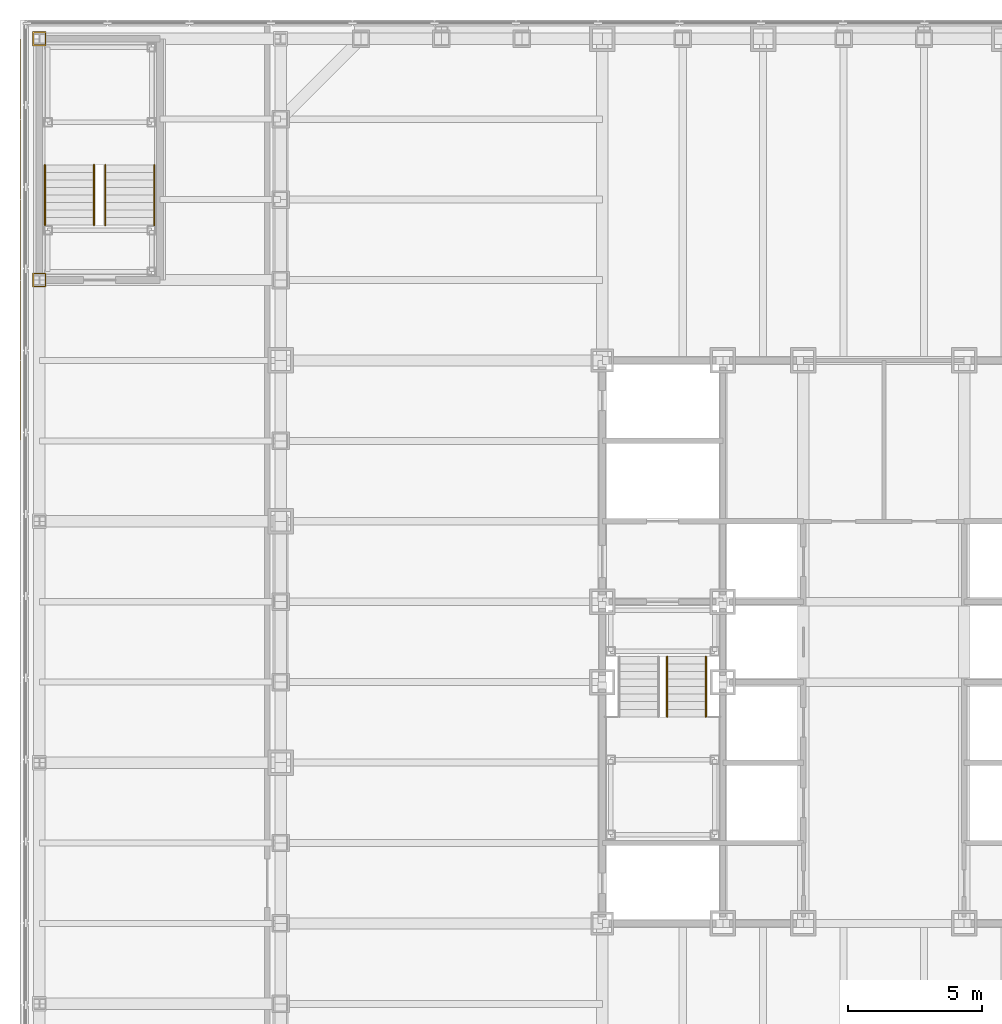
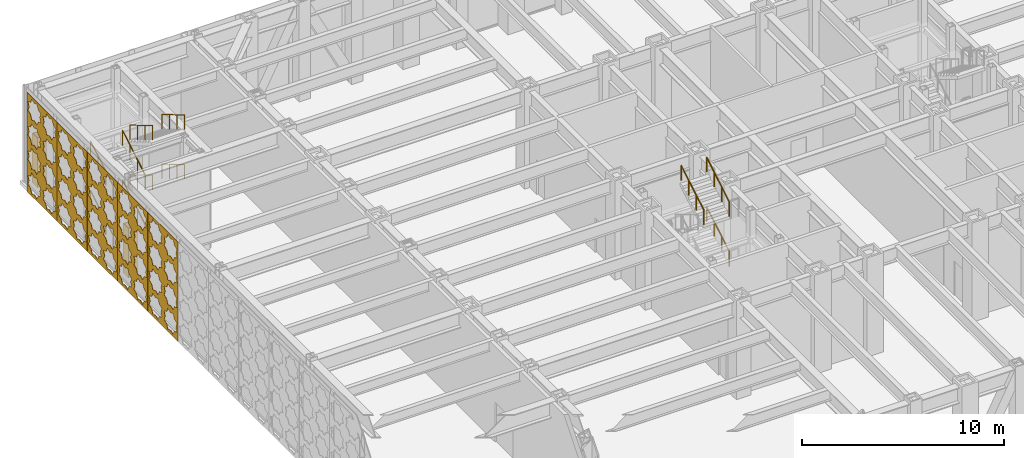
# One storey, part 27 of 32: 11 railings, 5 shading devices, 2 coverings.
"""IFC4 building model written with IfcOpenShell, lengths in metres."""

from ifc_helpers import new_model, si_unit, direction, frame, origin, origin_2d, place, context, subcontext, project, spatial, polyline, circle, outline, extrude, material, layer, layer_set, type_object, element, save


model = new_model("IFC4")

# Units and contexts
model_context = context("Model", 3, precision=1e-05, world=origin(), true_north=direction((0.0, 1.0)))
body_context = subcontext(model_context, "Body", "Model", "MODEL_VIEW")
ifc_project = project(units=[si_unit("LENGTHUNIT", "METRE"), si_unit("AREAUNIT", "SQUARE_METRE"), si_unit("VOLUMEUNIT", "CUBIC_METRE"), si_unit("PLANEANGLEUNIT", "RADIAN"), si_unit("MASSUNIT", "GRAM", prefix="KILO")], contexts=[model_context])

# Site, building, storey
site_placement = place(None, origin())
site = spatial("IfcSite", under=ifc_project, at=site_placement, CompositionType="ELEMENT")
building_placement = place(site_placement, origin())
building = spatial("IfcBuilding", under=site, at=building_placement, Name="Chuquiago Exchange Tower", CompositionType="ELEMENT")
storey_placement = place(building_placement, frame((0.0, 0.0, 13.5)))
storey = spatial("IfcBuildingStorey", under=building, at=storey_placement, Name="L02", CompositionType="ELEMENT", Elevation=13.5)

# Coverings
ifc_material_1 = material(Name="Pale metal sheet casing on rails", Category="aluminium")
ifc_layer_1 = layer(ifc_material_1, 0.050048828125)
ifc_layer_set_1 = layer_set([ifc_layer_1], Name="CS1 column casing 50")
covering_type = type_object("IfcCoveringType", Name="CS1 column casing 50", PredefinedType="CLADDING", material=ifc_layer_set_1)
covering_1_placement = place(storey_placement, origin())
element("IfcCovering", 1, at=covering_1_placement, inside=storey, type_object=covering_type, Name="Column casing L02", PredefinedType="CLADDING", context=body_context, shape_type="SweptSolid", body=[
    extrude(outline(polyline([(-9.255615234375, 35.73291015625), (-8.744384765625, 35.73291015625), (-8.744384765625, 36.26708984375), (-9.255615234375, 36.26708984375), (-9.255615234375, 35.73291015625)]), holes=[polyline([(-9.205810546875, 35.78271484375), (-9.205810546875, 36.21728515625), (-8.794189453125, 36.21728515625), (-8.794189453125, 35.78271484375), (-9.205810546875, 35.78271484375)])]), origin(), (0.0, 0.0, 1.0), 3.0),
])
covering_2_placement = place(storey_placement, origin())
element("IfcCovering", 2, at=covering_2_placement, inside=storey, type_object=covering_type, Name="Column casing L02", PredefinedType="CLADDING", context=body_context, shape_type="SweptSolid", body=[
    extrude(outline(polyline([(-9.255615234375, 44.73291015625), (-8.744384765625, 44.73291015625), (-8.744384765625, 45.26708984375), (-9.255615234375, 45.26708984375), (-9.255615234375, 44.73291015625)]), holes=[polyline([(-9.205810546875, 44.78271484375), (-9.205810546875, 45.21728515625), (-8.794189453125, 45.21728515625), (-8.794189453125, 44.78271484375), (-9.205810546875, 44.78271484375)])]), origin(), (0.0, 0.0, 1.0), 3.0),
])

# Railings
ifc_material_2 = material(Name="Pale metal handrail", Category="steel")
railing_type = type_object("IfcRailingType", Name="HR1 handrail 900", PredefinedType="HANDRAIL", material=ifc_material_2)
for number, where, name in (
    (3, (15.864990234375, 19.7099609375, 1.666748046875), "Handrail ST1 L02 flight 2"),
    (4, (15.864990234375, 19.7099609375, 4.666748046875), "Handrail ST1 L02 flight 4"),
    (5, (14.4150390625, 19.7099609375, 4.666748046875), "Handrail ST1 L02 flight 4"),
    (6, (-6.9599609375, 38.050048828125, 0.166748046875), "Handrail PS3 L02 flight 1"),
    (7, (-8.7900390625, 38.050048828125, 0.166748046875), "Handrail PS3 L02 flight 1"),
):
    element("IfcRailing", number, at=place(storey_placement, frame(where)), inside=storey, type_object=railing_type, Name=name, PredefinedType="HANDRAIL", context=body_context, shape_type="SweptSolid", body=[
        extrude(circle(Radius=0.02392578125, at=origin_2d()), frame((0.0, 0.0, 0.8759765625), z_axis=(0.0, 0.859305625298, 0.511462454469), x_axis=(-1.0, 0.0, 0.0)), (0.0, 0.0, 1.0), 2.606689453125),
        extrude(circle(Radius=0.02099609375, at=origin_2d()), origin(), (0.0, 0.0, 1.0), 0.851806640625),
        extrude(circle(Radius=0.02099609375, at=origin_2d()), frame((0.0, 0.74658203125, 0.4443359375)), (0.0, 0.0, 1.0), 0.851806640625),
        extrude(circle(Radius=0.02099609375, at=origin_2d()), frame((0.0, 1.493408203125, 0.888916015625)), (0.0, 0.0, 1.0), 0.851806640625),
        extrude(circle(Radius=0.02099609375, at=origin_2d()), frame((0.0, 2.239990234375, 1.333251953125)), (0.0, 0.0, 1.0), 0.851806640625),
    ])
for number, where, name in (
    (8, (-6.5400390625, 40.2900390625, 1.666748046875), "Handrail PS3 L02 flight 2"),
    (9, (-4.7099609375, 40.2900390625, 1.666748046875), "Handrail PS3 L02 flight 2"),
):
    element("IfcRailing", number, at=place(storey_placement, frame(where)), inside=storey, type_object=railing_type, Name=name, PredefinedType="HANDRAIL", context=body_context, shape_type="SweptSolid", body=[
        extrude(circle(Radius=0.02392578125, at=origin_2d()), frame((0.0, 0.0, 0.8759765625), z_axis=(0.0, -0.859305625298, 0.511462454469), x_axis=(1.0, 0.0, 0.0)), (0.0, 0.0, 1.0), 2.606689453125),
        extrude(circle(Radius=0.02099609375, at=origin_2d()), origin(), (0.0, 0.0, 1.0), 0.851806640625),
        extrude(circle(Radius=0.02099609375, at=origin_2d()), frame((0.0, -0.74658203125, 0.4443359375)), (0.0, 0.0, 1.0), 0.851806640625),
        extrude(circle(Radius=0.02099609375, at=origin_2d()), frame((0.0, -1.493408203125, 0.888916015625)), (0.0, 0.0, 1.0), 0.851806640625),
        extrude(circle(Radius=0.02099609375, at=origin_2d()), frame((0.0, -2.239990234375, 1.333251953125)), (0.0, 0.0, 1.0), 0.851806640625),
    ])
for number, where, name in (
    (10, (-6.9599609375, 38.050048828125, 3.166748046875), "Handrail PS3 L02 flight 3"),
    (11, (-8.7900390625, 38.050048828125, 3.166748046875), "Handrail PS3 L02 flight 3"),
):
    element("IfcRailing", number, at=place(storey_placement, frame(where)), inside=storey, type_object=railing_type, Name=name, PredefinedType="HANDRAIL", context=body_context, shape_type="SweptSolid", body=[
        extrude(circle(Radius=0.02392578125, at=origin_2d()), frame((0.0, 0.0, 0.8759765625), z_axis=(0.0, 0.859305625298, 0.511462454469), x_axis=(-1.0, 0.0, 0.0)), (0.0, 0.0, 1.0), 2.606689453125),
        extrude(circle(Radius=0.02099609375, at=origin_2d()), origin(), (0.0, 0.0, 1.0), 0.851806640625),
        extrude(circle(Radius=0.02099609375, at=origin_2d()), frame((0.0, 0.74658203125, 0.4443359375)), (0.0, 0.0, 1.0), 0.851806640625),
        extrude(circle(Radius=0.02099609375, at=origin_2d()), frame((0.0, 1.493408203125, 0.888916015625)), (0.0, 0.0, 1.0), 0.851806640625),
        extrude(circle(Radius=0.02099609375, at=origin_2d()), frame((0.0, 2.239990234375, 1.333251953125)), (0.0, 0.0, 1.0), 0.851806640625),
    ])
for number, where, name in (
    (12, (-6.5400390625, 40.2900390625, 4.666748046875), "Handrail PS3 L02 flight 4"),
    (13, (-4.7099609375, 40.2900390625, 4.666748046875), "Handrail PS3 L02 flight 4"),
):
    element("IfcRailing", number, at=place(storey_placement, frame(where)), inside=storey, type_object=railing_type, Name=name, PredefinedType="HANDRAIL", context=body_context, shape_type="SweptSolid", body=[
        extrude(circle(Radius=0.02392578125, at=origin_2d()), frame((0.0, 0.0, 0.8759765625), z_axis=(0.0, -0.859305625298, 0.511462454469), x_axis=(1.0, 0.0, 0.0)), (0.0, 0.0, 1.0), 2.606689453125),
        extrude(circle(Radius=0.02099609375, at=origin_2d()), origin(), (0.0, 0.0, 1.0), 0.851806640625),
        extrude(circle(Radius=0.02099609375, at=origin_2d()), frame((0.0, -0.74658203125, 0.4443359375)), (0.0, 0.0, 1.0), 0.851806640625),
        extrude(circle(Radius=0.02099609375, at=origin_2d()), frame((0.0, -1.493408203125, 0.888916015625)), (0.0, 0.0, 1.0), 0.851806640625),
        extrude(circle(Radius=0.02099609375, at=origin_2d()), frame((0.0, -2.239990234375, 1.333251953125)), (0.0, 0.0, 1.0), 0.851806640625),
    ])

# Shading devices
ifc_material_3 = material(Name="Pale metal, perforated in an eight-point star pattern", Category="aluminium")
ifc_layer_2 = layer(ifc_material_3, 0.02001953125)
ifc_layer_set_2 = layer_set([ifc_layer_2], Name="SC1 mashrabiya screen 20")
shading_device_type = type_object("IfcShadingDeviceType", Name="SC1 mashrabiya screen 20", PredefinedType="SHUTTER", material=ifc_layer_set_2)
shading_device_1_placement = place(storey_placement, frame((-9.699951171875, 32.989990234375, -0.199951171875), z_axis=(0.0, 0.0, 1.0), x_axis=(0.0, -1.0, 0.0)))
element("IfcShadingDevice", 14, at=shading_device_1_placement, inside=storey, type_object=shading_device_type, Name="Mashrabiya screen L02 W 17", PredefinedType="SHUTTER", context=body_context, shape_type="SweptSolid", body=[
    extrude(outline(polyline([(0.0, 0.0), (2.97998046875, 0.0), (2.97998046875, 6.0), (0.0, 6.0), (0.0, 0.0)]), holes=[polyline([(1.26953125, 0.764892578125), (1.378173828125, 1.02734375), (1.115966796875, 1.135986328125), (1.00732421875, 1.398193359375), (0.7451171875, 1.28955078125), (0.482666015625, 1.398193359375), (0.3740234375, 1.135986328125), (0.11181640625, 1.02734375), (0.220458984375, 0.764892578125), (0.11181640625, 0.502685546875), (0.3740234375, 0.39404296875), (0.482666015625, 0.1318359375), (0.7451171875, 0.240234375), (1.00732421875, 0.1318359375), (1.115966796875, 0.39404296875), (1.378173828125, 0.502685546875), (1.26953125, 0.764892578125)]), polyline([(2.759521484375, 0.764892578125), (2.8681640625, 1.02734375), (2.60595703125, 1.135986328125), (2.497314453125, 1.398193359375), (2.235107421875, 1.28955078125), (1.97265625, 1.398193359375), (1.864013671875, 1.135986328125), (1.601806640625, 1.02734375), (1.71044921875, 0.764892578125), (1.601806640625, 0.502685546875), (1.864013671875, 0.39404296875), (1.97265625, 0.1318359375), (2.235107421875, 0.240234375), (2.497314453125, 0.1318359375), (2.60595703125, 0.39404296875), (2.8681640625, 0.502685546875), (2.759521484375, 0.764892578125)]), polyline([(1.26953125, 2.2548828125), (1.378173828125, 2.517333984375), (1.115966796875, 2.6259765625), (1.00732421875, 2.88818359375), (0.7451171875, 2.779541015625), (0.482666015625, 2.88818359375), (0.3740234375, 2.6259765625), (0.11181640625, 2.517333984375), (0.220458984375, 2.2548828125), (0.11181640625, 1.99267578125), (0.3740234375, 1.884033203125), (0.482666015625, 1.621826171875), (0.7451171875, 1.73046875), (1.00732421875, 1.621826171875), (1.115966796875, 1.884033203125), (1.378173828125, 1.99267578125), (1.26953125, 2.2548828125)]), polyline([(2.759521484375, 2.2548828125), (2.8681640625, 2.517333984375), (2.60595703125, 2.6259765625), (2.497314453125, 2.88818359375), (2.235107421875, 2.779541015625), (1.97265625, 2.88818359375), (1.864013671875, 2.6259765625), (1.601806640625, 2.517333984375), (1.71044921875, 2.2548828125), (1.601806640625, 1.99267578125), (1.864013671875, 1.884033203125), (1.97265625, 1.621826171875), (2.235107421875, 1.73046875), (2.497314453125, 1.621826171875), (2.60595703125, 1.884033203125), (2.8681640625, 1.99267578125), (2.759521484375, 2.2548828125)]), polyline([(1.26953125, 3.744873046875), (1.378173828125, 4.00732421875), (1.115966796875, 4.115966796875), (1.00732421875, 4.378173828125), (0.7451171875, 4.26953125), (0.482666015625, 4.378173828125), (0.3740234375, 4.115966796875), (0.11181640625, 4.00732421875), (0.220458984375, 3.744873046875), (0.11181640625, 3.482666015625), (0.3740234375, 3.3740234375), (0.482666015625, 3.11181640625), (0.7451171875, 3.220458984375), (1.00732421875, 3.11181640625), (1.115966796875, 3.3740234375), (1.378173828125, 3.482666015625), (1.26953125, 3.744873046875)]), polyline([(2.759521484375, 3.744873046875), (2.8681640625, 4.00732421875), (2.60595703125, 4.115966796875), (2.497314453125, 4.378173828125), (2.235107421875, 4.26953125), (1.97265625, 4.378173828125), (1.864013671875, 4.115966796875), (1.601806640625, 4.00732421875), (1.71044921875, 3.744873046875), (1.601806640625, 3.482666015625), (1.864013671875, 3.3740234375), (1.97265625, 3.11181640625), (2.235107421875, 3.220458984375), (2.497314453125, 3.11181640625), (2.60595703125, 3.3740234375), (2.8681640625, 3.482666015625), (2.759521484375, 3.744873046875)]), polyline([(1.26953125, 5.23486328125), (1.378173828125, 5.497314453125), (1.115966796875, 5.60595703125), (1.00732421875, 5.8681640625), (0.7451171875, 5.759521484375), (0.482666015625, 5.8681640625), (0.3740234375, 5.60595703125), (0.11181640625, 5.497314453125), (0.220458984375, 5.23486328125), (0.11181640625, 4.97265625), (0.3740234375, 4.864013671875), (0.482666015625, 4.601806640625), (0.7451171875, 4.71044921875), (1.00732421875, 4.601806640625), (1.115966796875, 4.864013671875), (1.378173828125, 4.97265625), (1.26953125, 5.23486328125)]), polyline([(2.759521484375, 5.23486328125), (2.8681640625, 5.497314453125), (2.60595703125, 5.60595703125), (2.497314453125, 5.8681640625), (2.235107421875, 5.759521484375), (1.97265625, 5.8681640625), (1.864013671875, 5.60595703125), (1.601806640625, 5.497314453125), (1.71044921875, 5.23486328125), (1.601806640625, 4.97265625), (1.864013671875, 4.864013671875), (1.97265625, 4.601806640625), (2.235107421875, 4.71044921875), (2.497314453125, 4.601806640625), (2.60595703125, 4.864013671875), (2.8681640625, 4.97265625), (2.759521484375, 5.23486328125)])]), frame((0.0, 0.0, 0.0), z_axis=(0.0, -1.0, 0.0), x_axis=(1.0, 0.0, 0.0)), (0.0, 0.0, 1.0), 0.02001953125),
])
shading_device_2_placement = place(storey_placement, frame((-9.699951171875, 35.989990234375, -0.199951171875), z_axis=(0.0, 0.0, 1.0), x_axis=(0.0, -1.0, 0.0)))
element("IfcShadingDevice", 15, at=shading_device_2_placement, inside=storey, type_object=shading_device_type, Name="Mashrabiya screen L02 W 18", PredefinedType="SHUTTER", context=body_context, shape_type="SweptSolid", body=[
    extrude(outline(polyline([(0.0, 0.0), (2.97998046875, 0.0), (2.97998046875, 6.0), (0.0, 6.0), (0.0, 0.0)]), holes=[polyline([(1.26953125, 0.764892578125), (1.378173828125, 1.02734375), (1.115966796875, 1.135986328125), (1.00732421875, 1.398193359375), (0.7451171875, 1.28955078125), (0.482666015625, 1.398193359375), (0.3740234375, 1.135986328125), (0.11181640625, 1.02734375), (0.220458984375, 0.764892578125), (0.11181640625, 0.502685546875), (0.3740234375, 0.39404296875), (0.482666015625, 0.1318359375), (0.7451171875, 0.240234375), (1.00732421875, 0.1318359375), (1.115966796875, 0.39404296875), (1.378173828125, 0.502685546875), (1.26953125, 0.764892578125)]), polyline([(2.759521484375, 0.764892578125), (2.8681640625, 1.02734375), (2.60595703125, 1.135986328125), (2.497314453125, 1.398193359375), (2.235107421875, 1.28955078125), (1.97265625, 1.398193359375), (1.864013671875, 1.135986328125), (1.601806640625, 1.02734375), (1.71044921875, 0.764892578125), (1.601806640625, 0.502685546875), (1.864013671875, 0.39404296875), (1.97265625, 0.1318359375), (2.235107421875, 0.240234375), (2.497314453125, 0.1318359375), (2.60595703125, 0.39404296875), (2.8681640625, 0.502685546875), (2.759521484375, 0.764892578125)]), polyline([(1.26953125, 2.2548828125), (1.378173828125, 2.517333984375), (1.115966796875, 2.6259765625), (1.00732421875, 2.88818359375), (0.7451171875, 2.779541015625), (0.482666015625, 2.88818359375), (0.3740234375, 2.6259765625), (0.11181640625, 2.517333984375), (0.220458984375, 2.2548828125), (0.11181640625, 1.99267578125), (0.3740234375, 1.884033203125), (0.482666015625, 1.621826171875), (0.7451171875, 1.73046875), (1.00732421875, 1.621826171875), (1.115966796875, 1.884033203125), (1.378173828125, 1.99267578125), (1.26953125, 2.2548828125)]), polyline([(2.759521484375, 2.2548828125), (2.8681640625, 2.517333984375), (2.60595703125, 2.6259765625), (2.497314453125, 2.88818359375), (2.235107421875, 2.779541015625), (1.97265625, 2.88818359375), (1.864013671875, 2.6259765625), (1.601806640625, 2.517333984375), (1.71044921875, 2.2548828125), (1.601806640625, 1.99267578125), (1.864013671875, 1.884033203125), (1.97265625, 1.621826171875), (2.235107421875, 1.73046875), (2.497314453125, 1.621826171875), (2.60595703125, 1.884033203125), (2.8681640625, 1.99267578125), (2.759521484375, 2.2548828125)]), polyline([(1.26953125, 3.744873046875), (1.378173828125, 4.00732421875), (1.115966796875, 4.115966796875), (1.00732421875, 4.378173828125), (0.7451171875, 4.26953125), (0.482666015625, 4.378173828125), (0.3740234375, 4.115966796875), (0.11181640625, 4.00732421875), (0.220458984375, 3.744873046875), (0.11181640625, 3.482666015625), (0.3740234375, 3.3740234375), (0.482666015625, 3.11181640625), (0.7451171875, 3.220458984375), (1.00732421875, 3.11181640625), (1.115966796875, 3.3740234375), (1.378173828125, 3.482666015625), (1.26953125, 3.744873046875)]), polyline([(2.759521484375, 3.744873046875), (2.8681640625, 4.00732421875), (2.60595703125, 4.115966796875), (2.497314453125, 4.378173828125), (2.235107421875, 4.26953125), (1.97265625, 4.378173828125), (1.864013671875, 4.115966796875), (1.601806640625, 4.00732421875), (1.71044921875, 3.744873046875), (1.601806640625, 3.482666015625), (1.864013671875, 3.3740234375), (1.97265625, 3.11181640625), (2.235107421875, 3.220458984375), (2.497314453125, 3.11181640625), (2.60595703125, 3.3740234375), (2.8681640625, 3.482666015625), (2.759521484375, 3.744873046875)]), polyline([(1.26953125, 5.23486328125), (1.378173828125, 5.497314453125), (1.115966796875, 5.60595703125), (1.00732421875, 5.8681640625), (0.7451171875, 5.759521484375), (0.482666015625, 5.8681640625), (0.3740234375, 5.60595703125), (0.11181640625, 5.497314453125), (0.220458984375, 5.23486328125), (0.11181640625, 4.97265625), (0.3740234375, 4.864013671875), (0.482666015625, 4.601806640625), (0.7451171875, 4.71044921875), (1.00732421875, 4.601806640625), (1.115966796875, 4.864013671875), (1.378173828125, 4.97265625), (1.26953125, 5.23486328125)]), polyline([(2.759521484375, 5.23486328125), (2.8681640625, 5.497314453125), (2.60595703125, 5.60595703125), (2.497314453125, 5.8681640625), (2.235107421875, 5.759521484375), (1.97265625, 5.8681640625), (1.864013671875, 5.60595703125), (1.601806640625, 5.497314453125), (1.71044921875, 5.23486328125), (1.601806640625, 4.97265625), (1.864013671875, 4.864013671875), (1.97265625, 4.601806640625), (2.235107421875, 4.71044921875), (2.497314453125, 4.601806640625), (2.60595703125, 4.864013671875), (2.8681640625, 4.97265625), (2.759521484375, 5.23486328125)])]), frame((0.0, 0.0, 0.0), z_axis=(0.0, -1.0, 0.0), x_axis=(1.0, 0.0, 0.0)), (0.0, 0.0, 1.0), 0.02001953125),
])
shading_device_3_placement = place(storey_placement, frame((-9.699951171875, 38.989990234375, -0.199951171875), z_axis=(0.0, 0.0, 1.0), x_axis=(0.0, -1.0, 0.0)))
element("IfcShadingDevice", 16, at=shading_device_3_placement, inside=storey, type_object=shading_device_type, Name="Mashrabiya screen L02 W 19", PredefinedType="SHUTTER", context=body_context, shape_type="SweptSolid", body=[
    extrude(outline(polyline([(0.0, 0.0), (2.97998046875, 0.0), (2.97998046875, 6.0), (0.0, 6.0), (0.0, 0.0)]), holes=[polyline([(1.26953125, 0.764892578125), (1.378173828125, 1.02734375), (1.115966796875, 1.135986328125), (1.00732421875, 1.398193359375), (0.7451171875, 1.28955078125), (0.482666015625, 1.398193359375), (0.3740234375, 1.135986328125), (0.11181640625, 1.02734375), (0.220458984375, 0.764892578125), (0.11181640625, 0.502685546875), (0.3740234375, 0.39404296875), (0.482666015625, 0.1318359375), (0.7451171875, 0.240234375), (1.00732421875, 0.1318359375), (1.115966796875, 0.39404296875), (1.378173828125, 0.502685546875), (1.26953125, 0.764892578125)]), polyline([(2.759521484375, 0.764892578125), (2.8681640625, 1.02734375), (2.60595703125, 1.135986328125), (2.497314453125, 1.398193359375), (2.235107421875, 1.28955078125), (1.97265625, 1.398193359375), (1.864013671875, 1.135986328125), (1.601806640625, 1.02734375), (1.71044921875, 0.764892578125), (1.601806640625, 0.502685546875), (1.864013671875, 0.39404296875), (1.97265625, 0.1318359375), (2.235107421875, 0.240234375), (2.497314453125, 0.1318359375), (2.60595703125, 0.39404296875), (2.8681640625, 0.502685546875), (2.759521484375, 0.764892578125)]), polyline([(1.26953125, 2.2548828125), (1.378173828125, 2.517333984375), (1.115966796875, 2.6259765625), (1.00732421875, 2.88818359375), (0.7451171875, 2.779541015625), (0.482666015625, 2.88818359375), (0.3740234375, 2.6259765625), (0.11181640625, 2.517333984375), (0.220458984375, 2.2548828125), (0.11181640625, 1.99267578125), (0.3740234375, 1.884033203125), (0.482666015625, 1.621826171875), (0.7451171875, 1.73046875), (1.00732421875, 1.621826171875), (1.115966796875, 1.884033203125), (1.378173828125, 1.99267578125), (1.26953125, 2.2548828125)]), polyline([(2.759521484375, 2.2548828125), (2.8681640625, 2.517333984375), (2.60595703125, 2.6259765625), (2.497314453125, 2.88818359375), (2.235107421875, 2.779541015625), (1.97265625, 2.88818359375), (1.864013671875, 2.6259765625), (1.601806640625, 2.517333984375), (1.71044921875, 2.2548828125), (1.601806640625, 1.99267578125), (1.864013671875, 1.884033203125), (1.97265625, 1.621826171875), (2.235107421875, 1.73046875), (2.497314453125, 1.621826171875), (2.60595703125, 1.884033203125), (2.8681640625, 1.99267578125), (2.759521484375, 2.2548828125)]), polyline([(1.26953125, 3.744873046875), (1.378173828125, 4.00732421875), (1.115966796875, 4.115966796875), (1.00732421875, 4.378173828125), (0.7451171875, 4.26953125), (0.482666015625, 4.378173828125), (0.3740234375, 4.115966796875), (0.11181640625, 4.00732421875), (0.220458984375, 3.744873046875), (0.11181640625, 3.482666015625), (0.3740234375, 3.3740234375), (0.482666015625, 3.11181640625), (0.7451171875, 3.220458984375), (1.00732421875, 3.11181640625), (1.115966796875, 3.3740234375), (1.378173828125, 3.482666015625), (1.26953125, 3.744873046875)]), polyline([(2.759521484375, 3.744873046875), (2.8681640625, 4.00732421875), (2.60595703125, 4.115966796875), (2.497314453125, 4.378173828125), (2.235107421875, 4.26953125), (1.97265625, 4.378173828125), (1.864013671875, 4.115966796875), (1.601806640625, 4.00732421875), (1.71044921875, 3.744873046875), (1.601806640625, 3.482666015625), (1.864013671875, 3.3740234375), (1.97265625, 3.11181640625), (2.235107421875, 3.220458984375), (2.497314453125, 3.11181640625), (2.60595703125, 3.3740234375), (2.8681640625, 3.482666015625), (2.759521484375, 3.744873046875)]), polyline([(1.26953125, 5.23486328125), (1.378173828125, 5.497314453125), (1.115966796875, 5.60595703125), (1.00732421875, 5.8681640625), (0.7451171875, 5.759521484375), (0.482666015625, 5.8681640625), (0.3740234375, 5.60595703125), (0.11181640625, 5.497314453125), (0.220458984375, 5.23486328125), (0.11181640625, 4.97265625), (0.3740234375, 4.864013671875), (0.482666015625, 4.601806640625), (0.7451171875, 4.71044921875), (1.00732421875, 4.601806640625), (1.115966796875, 4.864013671875), (1.378173828125, 4.97265625), (1.26953125, 5.23486328125)]), polyline([(2.759521484375, 5.23486328125), (2.8681640625, 5.497314453125), (2.60595703125, 5.60595703125), (2.497314453125, 5.8681640625), (2.235107421875, 5.759521484375), (1.97265625, 5.8681640625), (1.864013671875, 5.60595703125), (1.601806640625, 5.497314453125), (1.71044921875, 5.23486328125), (1.601806640625, 4.97265625), (1.864013671875, 4.864013671875), (1.97265625, 4.601806640625), (2.235107421875, 4.71044921875), (2.497314453125, 4.601806640625), (2.60595703125, 4.864013671875), (2.8681640625, 4.97265625), (2.759521484375, 5.23486328125)])]), frame((0.0, 0.0, 0.0), z_axis=(0.0, -1.0, 0.0), x_axis=(1.0, 0.0, 0.0)), (0.0, 0.0, 1.0), 0.02001953125),
])
shading_device_4_placement = place(storey_placement, frame((-9.699951171875, 41.989990234375, -0.199951171875), z_axis=(0.0, 0.0, 1.0), x_axis=(0.0, -1.0, 0.0)))
element("IfcShadingDevice", 17, at=shading_device_4_placement, inside=storey, type_object=shading_device_type, Name="Mashrabiya screen L02 W 20", PredefinedType="SHUTTER", context=body_context, shape_type="SweptSolid", body=[
    extrude(outline(polyline([(0.0, 0.0), (2.97998046875, 0.0), (2.97998046875, 6.0), (0.0, 6.0), (0.0, 0.0)]), holes=[polyline([(1.26953125, 0.764892578125), (1.378173828125, 1.02734375), (1.115966796875, 1.135986328125), (1.00732421875, 1.398193359375), (0.7451171875, 1.28955078125), (0.482666015625, 1.398193359375), (0.3740234375, 1.135986328125), (0.11181640625, 1.02734375), (0.220458984375, 0.764892578125), (0.11181640625, 0.502685546875), (0.3740234375, 0.39404296875), (0.482666015625, 0.1318359375), (0.7451171875, 0.240234375), (1.00732421875, 0.1318359375), (1.115966796875, 0.39404296875), (1.378173828125, 0.502685546875), (1.26953125, 0.764892578125)]), polyline([(2.759521484375, 0.764892578125), (2.8681640625, 1.02734375), (2.60595703125, 1.135986328125), (2.497314453125, 1.398193359375), (2.235107421875, 1.28955078125), (1.97265625, 1.398193359375), (1.864013671875, 1.135986328125), (1.601806640625, 1.02734375), (1.71044921875, 0.764892578125), (1.601806640625, 0.502685546875), (1.864013671875, 0.39404296875), (1.97265625, 0.1318359375), (2.235107421875, 0.240234375), (2.497314453125, 0.1318359375), (2.60595703125, 0.39404296875), (2.8681640625, 0.502685546875), (2.759521484375, 0.764892578125)]), polyline([(1.26953125, 2.2548828125), (1.378173828125, 2.517333984375), (1.115966796875, 2.6259765625), (1.00732421875, 2.88818359375), (0.7451171875, 2.779541015625), (0.482666015625, 2.88818359375), (0.3740234375, 2.6259765625), (0.11181640625, 2.517333984375), (0.220458984375, 2.2548828125), (0.11181640625, 1.99267578125), (0.3740234375, 1.884033203125), (0.482666015625, 1.621826171875), (0.7451171875, 1.73046875), (1.00732421875, 1.621826171875), (1.115966796875, 1.884033203125), (1.378173828125, 1.99267578125), (1.26953125, 2.2548828125)]), polyline([(2.759521484375, 2.2548828125), (2.8681640625, 2.517333984375), (2.60595703125, 2.6259765625), (2.497314453125, 2.88818359375), (2.235107421875, 2.779541015625), (1.97265625, 2.88818359375), (1.864013671875, 2.6259765625), (1.601806640625, 2.517333984375), (1.71044921875, 2.2548828125), (1.601806640625, 1.99267578125), (1.864013671875, 1.884033203125), (1.97265625, 1.621826171875), (2.235107421875, 1.73046875), (2.497314453125, 1.621826171875), (2.60595703125, 1.884033203125), (2.8681640625, 1.99267578125), (2.759521484375, 2.2548828125)]), polyline([(1.26953125, 3.744873046875), (1.378173828125, 4.00732421875), (1.115966796875, 4.115966796875), (1.00732421875, 4.378173828125), (0.7451171875, 4.26953125), (0.482666015625, 4.378173828125), (0.3740234375, 4.115966796875), (0.11181640625, 4.00732421875), (0.220458984375, 3.744873046875), (0.11181640625, 3.482666015625), (0.3740234375, 3.3740234375), (0.482666015625, 3.11181640625), (0.7451171875, 3.220458984375), (1.00732421875, 3.11181640625), (1.115966796875, 3.3740234375), (1.378173828125, 3.482666015625), (1.26953125, 3.744873046875)]), polyline([(2.759521484375, 3.744873046875), (2.8681640625, 4.00732421875), (2.60595703125, 4.115966796875), (2.497314453125, 4.378173828125), (2.235107421875, 4.26953125), (1.97265625, 4.378173828125), (1.864013671875, 4.115966796875), (1.601806640625, 4.00732421875), (1.71044921875, 3.744873046875), (1.601806640625, 3.482666015625), (1.864013671875, 3.3740234375), (1.97265625, 3.11181640625), (2.235107421875, 3.220458984375), (2.497314453125, 3.11181640625), (2.60595703125, 3.3740234375), (2.8681640625, 3.482666015625), (2.759521484375, 3.744873046875)]), polyline([(1.26953125, 5.23486328125), (1.378173828125, 5.497314453125), (1.115966796875, 5.60595703125), (1.00732421875, 5.8681640625), (0.7451171875, 5.759521484375), (0.482666015625, 5.8681640625), (0.3740234375, 5.60595703125), (0.11181640625, 5.497314453125), (0.220458984375, 5.23486328125), (0.11181640625, 4.97265625), (0.3740234375, 4.864013671875), (0.482666015625, 4.601806640625), (0.7451171875, 4.71044921875), (1.00732421875, 4.601806640625), (1.115966796875, 4.864013671875), (1.378173828125, 4.97265625), (1.26953125, 5.23486328125)]), polyline([(2.759521484375, 5.23486328125), (2.8681640625, 5.497314453125), (2.60595703125, 5.60595703125), (2.497314453125, 5.8681640625), (2.235107421875, 5.759521484375), (1.97265625, 5.8681640625), (1.864013671875, 5.60595703125), (1.601806640625, 5.497314453125), (1.71044921875, 5.23486328125), (1.601806640625, 4.97265625), (1.864013671875, 4.864013671875), (1.97265625, 4.601806640625), (2.235107421875, 4.71044921875), (2.497314453125, 4.601806640625), (2.60595703125, 4.864013671875), (2.8681640625, 4.97265625), (2.759521484375, 5.23486328125)])]), frame((0.0, 0.0, 0.0), z_axis=(0.0, -1.0, 0.0), x_axis=(1.0, 0.0, 0.0)), (0.0, 0.0, 1.0), 0.02001953125),
])
shading_device_5_placement = place(storey_placement, frame((-9.699951171875, 44.989990234375, -0.199951171875), z_axis=(0.0, 0.0, 1.0), x_axis=(0.0, -1.0, 0.0)))
element("IfcShadingDevice", 18, at=shading_device_5_placement, inside=storey, type_object=shading_device_type, Name="Mashrabiya screen L02 W 21", PredefinedType="SHUTTER", context=body_context, shape_type="SweptSolid", body=[
    extrude(outline(polyline([(0.0, 0.0), (2.97998046875, 0.0), (2.97998046875, 6.0), (0.0, 6.0), (0.0, 0.0)]), holes=[polyline([(1.26953125, 0.764892578125), (1.378173828125, 1.02734375), (1.115966796875, 1.135986328125), (1.00732421875, 1.398193359375), (0.7451171875, 1.28955078125), (0.482666015625, 1.398193359375), (0.3740234375, 1.135986328125), (0.11181640625, 1.02734375), (0.220458984375, 0.764892578125), (0.11181640625, 0.502685546875), (0.3740234375, 0.39404296875), (0.482666015625, 0.1318359375), (0.7451171875, 0.240234375), (1.00732421875, 0.1318359375), (1.115966796875, 0.39404296875), (1.378173828125, 0.502685546875), (1.26953125, 0.764892578125)]), polyline([(2.759521484375, 0.764892578125), (2.8681640625, 1.02734375), (2.60595703125, 1.135986328125), (2.497314453125, 1.398193359375), (2.235107421875, 1.28955078125), (1.97265625, 1.398193359375), (1.864013671875, 1.135986328125), (1.601806640625, 1.02734375), (1.71044921875, 0.764892578125), (1.601806640625, 0.502685546875), (1.864013671875, 0.39404296875), (1.97265625, 0.1318359375), (2.235107421875, 0.240234375), (2.497314453125, 0.1318359375), (2.60595703125, 0.39404296875), (2.8681640625, 0.502685546875), (2.759521484375, 0.764892578125)]), polyline([(1.26953125, 2.2548828125), (1.378173828125, 2.517333984375), (1.115966796875, 2.6259765625), (1.00732421875, 2.88818359375), (0.7451171875, 2.779541015625), (0.482666015625, 2.88818359375), (0.3740234375, 2.6259765625), (0.11181640625, 2.517333984375), (0.220458984375, 2.2548828125), (0.11181640625, 1.99267578125), (0.3740234375, 1.884033203125), (0.482666015625, 1.621826171875), (0.7451171875, 1.73046875), (1.00732421875, 1.621826171875), (1.115966796875, 1.884033203125), (1.378173828125, 1.99267578125), (1.26953125, 2.2548828125)]), polyline([(2.759521484375, 2.2548828125), (2.8681640625, 2.517333984375), (2.60595703125, 2.6259765625), (2.497314453125, 2.88818359375), (2.235107421875, 2.779541015625), (1.97265625, 2.88818359375), (1.864013671875, 2.6259765625), (1.601806640625, 2.517333984375), (1.71044921875, 2.2548828125), (1.601806640625, 1.99267578125), (1.864013671875, 1.884033203125), (1.97265625, 1.621826171875), (2.235107421875, 1.73046875), (2.497314453125, 1.621826171875), (2.60595703125, 1.884033203125), (2.8681640625, 1.99267578125), (2.759521484375, 2.2548828125)]), polyline([(1.26953125, 3.744873046875), (1.378173828125, 4.00732421875), (1.115966796875, 4.115966796875), (1.00732421875, 4.378173828125), (0.7451171875, 4.26953125), (0.482666015625, 4.378173828125), (0.3740234375, 4.115966796875), (0.11181640625, 4.00732421875), (0.220458984375, 3.744873046875), (0.11181640625, 3.482666015625), (0.3740234375, 3.3740234375), (0.482666015625, 3.11181640625), (0.7451171875, 3.220458984375), (1.00732421875, 3.11181640625), (1.115966796875, 3.3740234375), (1.378173828125, 3.482666015625), (1.26953125, 3.744873046875)]), polyline([(2.759521484375, 3.744873046875), (2.8681640625, 4.00732421875), (2.60595703125, 4.115966796875), (2.497314453125, 4.378173828125), (2.235107421875, 4.26953125), (1.97265625, 4.378173828125), (1.864013671875, 4.115966796875), (1.601806640625, 4.00732421875), (1.71044921875, 3.744873046875), (1.601806640625, 3.482666015625), (1.864013671875, 3.3740234375), (1.97265625, 3.11181640625), (2.235107421875, 3.220458984375), (2.497314453125, 3.11181640625), (2.60595703125, 3.3740234375), (2.8681640625, 3.482666015625), (2.759521484375, 3.744873046875)]), polyline([(1.26953125, 5.23486328125), (1.378173828125, 5.497314453125), (1.115966796875, 5.60595703125), (1.00732421875, 5.8681640625), (0.7451171875, 5.759521484375), (0.482666015625, 5.8681640625), (0.3740234375, 5.60595703125), (0.11181640625, 5.497314453125), (0.220458984375, 5.23486328125), (0.11181640625, 4.97265625), (0.3740234375, 4.864013671875), (0.482666015625, 4.601806640625), (0.7451171875, 4.71044921875), (1.00732421875, 4.601806640625), (1.115966796875, 4.864013671875), (1.378173828125, 4.97265625), (1.26953125, 5.23486328125)]), polyline([(2.759521484375, 5.23486328125), (2.8681640625, 5.497314453125), (2.60595703125, 5.60595703125), (2.497314453125, 5.8681640625), (2.235107421875, 5.759521484375), (1.97265625, 5.8681640625), (1.864013671875, 5.60595703125), (1.601806640625, 5.497314453125), (1.71044921875, 5.23486328125), (1.601806640625, 4.97265625), (1.864013671875, 4.864013671875), (1.97265625, 4.601806640625), (2.235107421875, 4.71044921875), (2.497314453125, 4.601806640625), (2.60595703125, 4.864013671875), (2.8681640625, 4.97265625), (2.759521484375, 5.23486328125)])]), frame((0.0, 0.0, 0.0), z_axis=(0.0, -1.0, 0.0), x_axis=(1.0, 0.0, 0.0)), (0.0, 0.0, 1.0), 0.02001953125),
])

save(model, "model.ifc")
